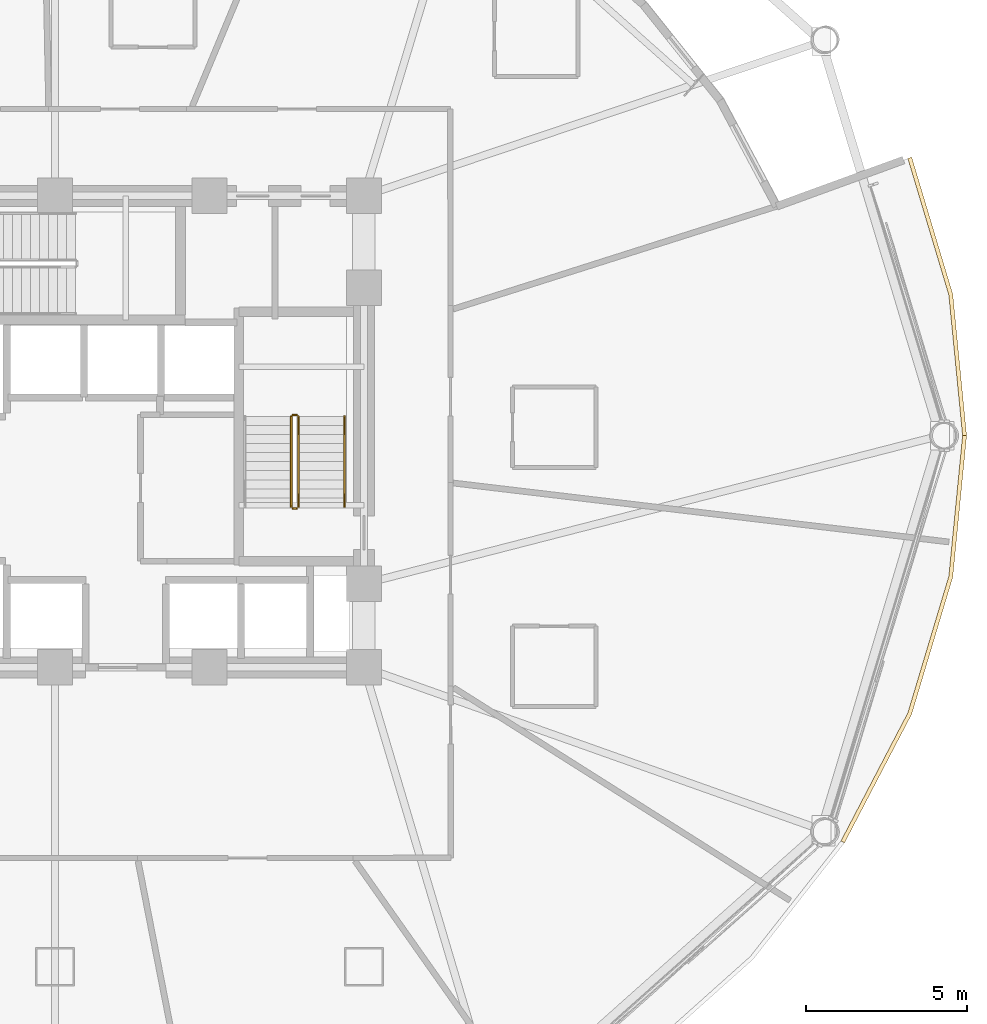
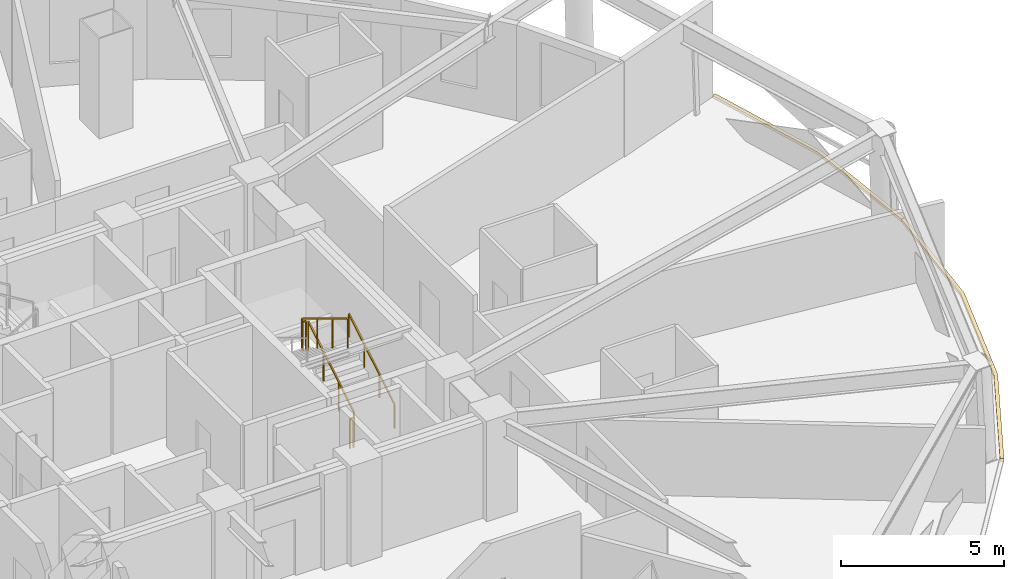
# One storey, part 15 of 16: 5 railings, 2 coverings.
"""IFC4 building model written with IfcOpenShell, lengths in metres."""

from ifc_helpers import new_model, si_unit, direction, frame, origin, origin_2d, place, context, subcontext, project, spatial, polyline, rectangle, outline, extrude, material, layer, layer_set, type_object, element, save


model = new_model("IFC4")

# Units and contexts
model_context = context("Model", 3, precision=1e-05, world=origin(), true_north=direction((0.0, 1.0)))
body_context = subcontext(model_context, "Body", "Model", "MODEL_VIEW")
ifc_project = project(units=[si_unit("LENGTHUNIT", "METRE"), si_unit("AREAUNIT", "SQUARE_METRE"), si_unit("VOLUMEUNIT", "CUBIC_METRE"), si_unit("PLANEANGLEUNIT", "RADIAN"), si_unit("MASSUNIT", "GRAM", prefix="KILO")], contexts=[model_context])

# Site, building, storey
site_placement = place(None, origin())
site = spatial("IfcSite", under=ifc_project, at=site_placement, CompositionType="ELEMENT")
building_placement = place(site_placement, origin())
building = spatial("IfcBuilding", under=site, at=building_placement, Name="Vantalir Tower", CompositionType="ELEMENT")
storey_placement = place(building_placement, frame((0.0, 0.0, 75.75)))
storey = spatial("IfcBuildingStorey", under=building, at=storey_placement, Name="L18", CompositionType="ELEMENT", Elevation=75.75)

# Coverings
ifc_material_1 = material(Name="Anodised champagne aluminium sill fascia", Category="aluminium")
ifc_layer = layer(ifc_material_1, 0.125)
ifc_layer_set = layer_set([ifc_layer], Name="Anodised champagne aluminium sill fascia")
covering_type = type_object("IfcCoveringType", Name="COV-SLAB-FASCIA-125", PredefinedType="CLADDING", material=ifc_layer_set)
covering_1_placement = place(storey_placement, frame((0.0, 0.0, -0.179931640625)))
element("IfcCovering", 1, at=covering_1_placement, inside=storey, type_object=covering_type, Name="L18 Perimeter Slab-Edge Sill Fascia 01", PredefinedType="CLADDING", context=body_context, shape_type="SweptSolid", body=[
    extrude(outline(polyline([(59.824951171875, 25.0), (59.39501953125, 29.39404296875), (58.116943359375, 33.654052734375), (57.9990234375, 33.612060546875), (59.27197265625, 29.3720703125), (59.699951171875, 25.0), (59.824951171875, 25.0)])), origin(), (0.0, 0.0, 1.0), 0.10498046875),
])
covering_2_placement = place(storey_placement, frame((0.0, 0.0, -0.179931640625)))
element("IfcCovering", 2, at=covering_2_placement, inside=storey, type_object=covering_type, Name="L18 Perimeter Slab-Edge Sill Fascia 12", PredefinedType="CLADDING", context=body_context, shape_type="SweptSolid", body=[
    extrude(outline(polyline([(56.030029296875, 12.347900390625), (58.116943359375, 16.345947265625), (59.39501953125, 20.60595703125), (59.824951171875, 25.0), (59.699951171875, 25.0), (59.27197265625, 20.6279296875), (57.9990234375, 16.387939453125), (55.922119140625, 12.409912109375), (56.030029296875, 12.347900390625)])), origin(), (0.0, 0.0, 1.0), 0.10498046875),
])

# Railings
ifc_material_2 = material(Name="Anodised aluminium and stainless steel guard", Category="steel")
railing_type_1 = type_object("IfcRailingType", Name="RAL-GUARD-1120", PredefinedType="GUARDRAIL", material=ifc_material_2)
railing_1_placement = place(storey_placement, frame((39.06005859375, 22.7900390625, 0.17041015625)))
element("IfcRailing", 3, at=railing_1_placement, inside=storey, type_object=railing_type_1, Name="L18 ST2 stair guard 1", PredefinedType="GUARDRAIL", context=body_context, shape_type="SweptSolid", body=[
    extrude(rectangle(XDim=0.048095703125, YDim=0.048095703125, at=origin_2d()), frame((0.0, 0.0, 1.09619140625), z_axis=(0.0, 0.854169791009, 0.51999420009), x_axis=(-1.0, 0.0, 0.0)), (0.0, 0.0, 1.0), 3.278076171875),
    extrude(rectangle(XDim=0.0419921875, YDim=0.0419921875, at=origin_2d()), origin(), (0.0, 0.0, 1.0), 1.072021484375),
    extrude(rectangle(XDim=0.0419921875, YDim=0.0419921875, at=origin_2d()), frame((0.0, 0.933349609375, 0.568115234375)), (0.0, 0.0, 1.0), 1.072021484375),
    extrude(rectangle(XDim=0.0419921875, YDim=0.0419921875, at=origin_2d()), frame((0.0, 1.86669921875, 1.136474609375)), (0.0, 0.0, 1.0), 1.072021484375),
    extrude(rectangle(XDim=0.0419921875, YDim=0.0419921875, at=origin_2d()), frame((0.0, 2.800048828125, 1.70458984375)), (0.0, 0.0, 1.0), 1.072021484375),
])
railing_2_placement = place(storey_placement, frame((39.010009765625, 25.639892578125, 1.875)))
element("IfcRailing", 4, at=railing_2_placement, inside=storey, type_object=railing_type_1, Name="L18 ST2 stair guard 2", PredefinedType="GUARDRAIL", context=body_context, shape_type="SweptSolid", body=[
    extrude(rectangle(XDim=0.048095703125, YDim=0.048095703125, at=origin_2d()), frame((0.0, 0.0, 1.09619140625), z_axis=(-1.0, 0.0, 0.0), x_axis=(0.0, -1.0, 0.0)), (0.0, 0.0, 1.0), 0.1201171875),
    extrude(rectangle(XDim=0.0419921875, YDim=0.0419921875, at=origin_2d()), origin(), (0.0, 0.0, 1.0), 1.072021484375),
    extrude(rectangle(XDim=0.0419921875, YDim=0.0419921875, at=origin_2d()), frame((-0.1201171875, 0.0, 0.0)), (0.0, 0.0, 1.0), 1.072021484375),
])
railing_3_placement = place(storey_placement, frame((38.840087890625, 25.590087890625, 2.04541015625)))
element("IfcRailing", 5, at=railing_3_placement, inside=storey, type_object=railing_type_1, Name="L18 ST2 stair guard 3", PredefinedType="GUARDRAIL", context=body_context, shape_type="SweptSolid", body=[
    extrude(rectangle(XDim=0.048095703125, YDim=0.048095703125, at=origin_2d()), frame((0.0, 0.0, 1.09619140625), z_axis=(0.0, -0.854169791009, 0.51999420009), x_axis=(1.0, 0.0, 0.0)), (0.0, 0.0, 1.0), 3.278076171875),
    extrude(rectangle(XDim=0.0419921875, YDim=0.0419921875, at=origin_2d()), origin(), (0.0, 0.0, 1.0), 1.072021484375),
    extrude(rectangle(XDim=0.0419921875, YDim=0.0419921875, at=origin_2d()), frame((0.0, -0.933349609375, 0.568115234375)), (0.0, 0.0, 1.0), 1.072021484375),
    extrude(rectangle(XDim=0.0419921875, YDim=0.0419921875, at=origin_2d()), frame((0.0, -1.86669921875, 1.136474609375)), (0.0, 0.0, 1.0), 1.072021484375),
    extrude(rectangle(XDim=0.0419921875, YDim=0.0419921875, at=origin_2d()), frame((0.0, -2.800048828125, 1.70458984375)), (0.0, 0.0, 1.0), 1.072021484375),
])
railing_4_placement = place(storey_placement, frame((39.010009765625, 22.739990234375, 0.0)))
element("IfcRailing", 6, at=railing_4_placement, inside=storey, type_object=railing_type_1, Name="L18 ST2 stair guard 4", PredefinedType="GUARDRAIL", context=body_context, shape_type="SweptSolid", body=[
    extrude(rectangle(XDim=0.048095703125, YDim=0.048095703125, at=origin_2d()), frame((0.0, 0.0, 1.09619140625), z_axis=(-1.0, 0.0, 0.0), x_axis=(0.0, -1.0, 0.0)), (0.0, 0.0, 1.0), 0.1201171875),
    extrude(rectangle(XDim=0.0419921875, YDim=0.0419921875, at=origin_2d()), origin(), (0.0, 0.0, 1.0), 1.072021484375),
    extrude(rectangle(XDim=0.0419921875, YDim=0.0419921875, at=origin_2d()), frame((-0.1201171875, 0.0, 0.0)), (0.0, 0.0, 1.0), 1.072021484375),
])
ifc_material_3 = material(Name="Brushed stainless steel tubular handrail", Category="steel")
railing_type_2 = type_object("IfcRailingType", Name="RAL-HANDRAIL-900", PredefinedType="HANDRAIL", material=ifc_material_3)
railing_5_placement = place(storey_placement, frame((40.5, 22.7900390625, 0.17041015625)))
element("IfcRailing", 7, at=railing_5_placement, inside=storey, type_object=railing_type_2, Name="L18 ST2 stair handrail 1", PredefinedType="HANDRAIL", context=body_context, shape_type="SweptSolid", body=[
    extrude(rectangle(XDim=0.048095703125, YDim=0.048095703125, at=origin_2d()), frame((0.0, 0.0, 0.8759765625), z_axis=(0.0, 0.854169791009, 0.51999420009), x_axis=(-1.0, 0.0, 0.0)), (0.0, 0.0, 1.0), 3.278076171875),
    extrude(rectangle(XDim=0.0419921875, YDim=0.0419921875, at=origin_2d()), origin(), (0.0, 0.0, 1.0), 0.851806640625),
    extrude(rectangle(XDim=0.0419921875, YDim=0.0419921875, at=origin_2d()), frame((0.0, 0.933349609375, 0.568115234375)), (0.0, 0.0, 1.0), 0.851806640625),
    extrude(rectangle(XDim=0.0419921875, YDim=0.0419921875, at=origin_2d()), frame((0.0, 1.86669921875, 1.136474609375)), (0.0, 0.0, 1.0), 0.851806640625),
    extrude(rectangle(XDim=0.0419921875, YDim=0.0419921875, at=origin_2d()), frame((0.0, 2.800048828125, 1.70458984375)), (0.0, 0.0, 1.0), 0.851806640625),
])

save(model, "model.ifc")
